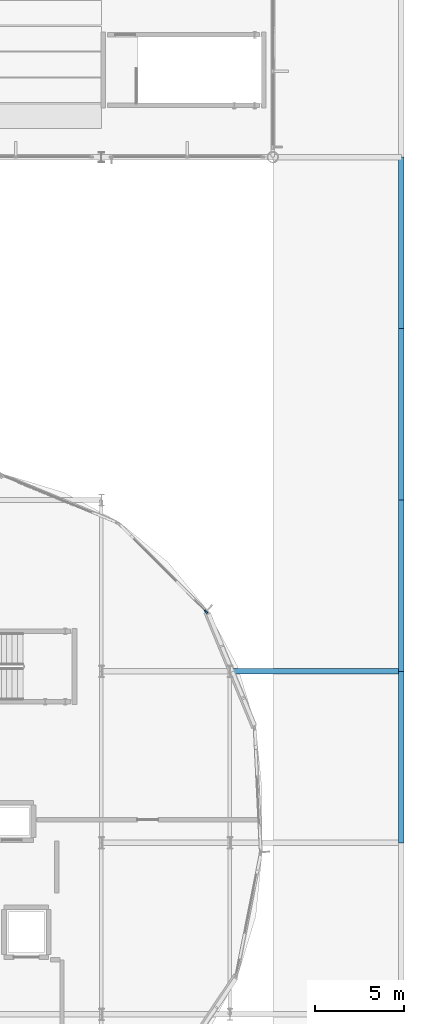
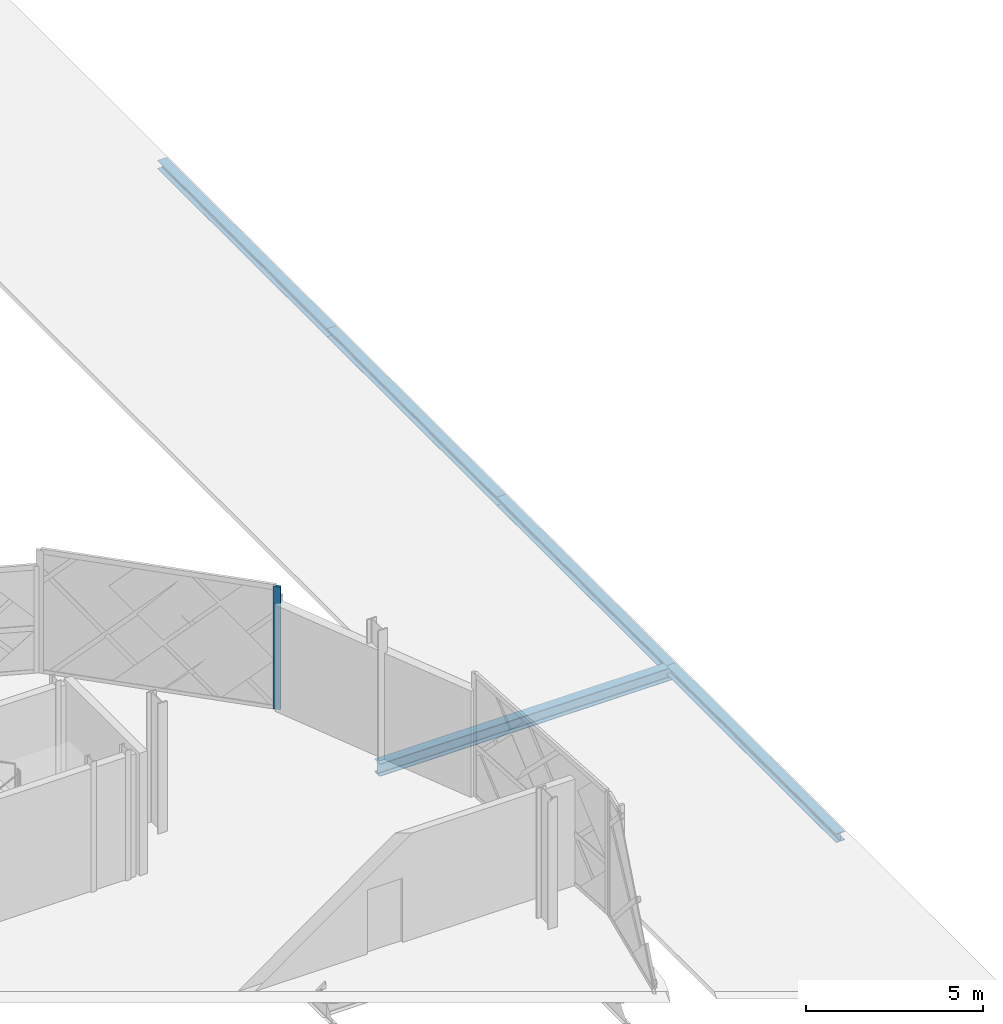
# One storey, part 54 of 101: 5 beams, 1 member, 1 element without a shape of its own.
"""IFC4 building model written with IfcOpenShell, lengths in metres."""

from ifc_helpers import new_model, si_unit, direction, frame, origin, origin_2d, place, context, subcontext, project, spatial, rectangle, i_section, extrude, material, layer, layer_set, material_profile, profile_set, type_object, element, aggregate, save


model = new_model("IFC4")

# Units and contexts
model_context = context("Model", 3, precision=1e-05, world=origin(), true_north=direction((0.0, 1.0)))
body_context = subcontext(model_context, "Body", "Model", "MODEL_VIEW")
ifc_project = project(units=[si_unit("LENGTHUNIT", "METRE"), si_unit("AREAUNIT", "SQUARE_METRE"), si_unit("VOLUMEUNIT", "CUBIC_METRE"), si_unit("PLANEANGLEUNIT", "RADIAN"), si_unit("MASSUNIT", "GRAM", prefix="KILO")], contexts=[model_context])

# Site, building, storey
site_placement = place(None, origin())
site = spatial("IfcSite", under=ifc_project, at=site_placement, CompositionType="ELEMENT")
building_placement = place(site_placement, origin())
building = spatial("IfcBuilding", under=site, at=building_placement, Name="Zevrakil Square Congress Hotel", CompositionType="ELEMENT")
storey_placement = place(building_placement, frame((0.0, 0.0, 5.39990234375)))
storey = spatial("IfcBuildingStorey", under=building, at=storey_placement, Name="L02", CompositionType="ELEMENT", Elevation=5.39990234375)

# Beam
ifc_material_1 = material(Name="Steel S355", Category="steel")
ifc_material_profile_1 = material_profile(ifc_material_1, i_section(OverallWidth=0.300048828125, OverallDepth=0.43994140625, WebThickness=0.011474609375, FlangeThickness=0.02099609375, FilletRadius=0.027099609375, at=origin_2d()), Name="HEA 450")
ifc_profile_set_1 = profile_set([ifc_material_profile_1], Name="Steel S355")
beam_type_1 = type_object("IfcBeamType", Name="BM-HEA450", PredefinedType="BEAM", material=ifc_profile_set_1)
beam_1_placement = place(storey_placement, frame((163.199951171875, 36.0, -0.47998046875), z_axis=(1.0, 0.0, 0.0), x_axis=(0.0, 1.0, 0.0)))
element("IfcBeam", 1, at=beam_1_placement, inside=storey, type_object=beam_type_1, Name="L02 primary girder BX-0730", PredefinedType="BEAM", context=body_context, shape_type="SweptSolid", body=[
    extrude(i_section(OverallWidth=0.300048828125, OverallDepth=0.43994140625, WebThickness=0.011474609375, FlangeThickness=0.02099609375, FilletRadius=0.027099609375, at=origin_2d()), origin(), (0.0, 0.0, 1.0), 9.60009765625),
])

# Curtain wall, member
ifc_material_2 = material(Name="Aluminium Anodised Bronze", Category="aluminium")
ifc_layer = layer(ifc_material_2, 0.179931640625)
ifc_layer_set = layer_set([ifc_layer], Name="Aluminium Anodised Bronze")
curtain_wall_type = type_object("IfcCurtainWallType", Name="CW-L02-720", PredefinedType="USERDEFINED", material=ifc_layer_set)
curtain_wall_placement = place(storey_placement, origin())
curtain_wall = element("IfcCurtainWall", 2, at=curtain_wall_placement, inside=storey, type_object=curtain_wall_type, Name="L02 diamond curtain wall CW-L02-0157", ObjectType="GLAZED CURTAIN WALL", PredefinedType="USERDEFINED")
ifc_material_3 = material(Name="Aluminium Anodised Bronze", Category="aluminium")
ifc_material_profile_2 = material_profile(ifc_material_3, rectangle(XDim=0.0849609375, YDim=0.219970703125, at=origin_2d()), Name="ALU 85x220")
ifc_profile_set_2 = profile_set([ifc_material_profile_2], Name="Aluminium Anodised Bronze")
member_type = type_object("IfcMemberType", Name="CWM-ALU85x220", PredefinedType="MULLION", material=ifc_profile_set_2)
member_placement = place(storey_placement, frame((161.86279296875, 39.3515625, 0.0), z_axis=(0.0, 0.0, 1.0), x_axis=(-0.707106781187, -0.707106781187, 0.0)))
member = element("IfcMember", 3, at=member_placement, type_object=member_type, Name="CW-22 mullion 1", PredefinedType="MULLION", context=body_context, shape_type="SweptSolid", body=[
    extrude(rectangle(XDim=0.0849609375, YDim=0.219970703125, at=origin_2d()), origin(), (0.0, 0.0, 1.0), 4.239990234375),
])
aggregate(curtain_wall, [member])

# Beams
ifc_material_4 = material(Name="Steel S355", Category="steel")
ifc_material_profile_3 = material_profile(ifc_material_4, i_section(OverallWidth=0.300048828125, OverallDepth=0.300048828125, WebThickness=0.010986328125, FlangeThickness=0.01904296875, FilletRadius=0.027099609375, at=origin_2d()), Name="HEB 300")
ifc_profile_set_3 = profile_set([ifc_material_profile_3], Name="Steel S355")
beam_type_2 = type_object("IfcBeamType", Name="SPD-RHS250", PredefinedType="SPANDREL", material=ifc_profile_set_3)
for number, where, z_axis, x_axis, name in (
    (4, (172.800048828125, 26.39990234375, -0.409912109375), (0.0, 1.0, 0.0), (-1.0, 0.0, 0.0), "L02 primary girder BY-0959"),
    (5, (172.800048828125, 36.0, -0.409912109375), (0.0, 1.0, 0.0), (-1.0, 0.0, 0.0), "L02 primary girder BY-0960"),
):
    element("IfcBeam", number, at=place(storey_placement, frame(where, z_axis=z_axis, x_axis=x_axis)), inside=storey, type_object=beam_type_2, Name=name, PredefinedType="SPANDREL", context=body_context, shape_type="SweptSolid", body=[
        extrude(i_section(OverallWidth=0.300048828125, OverallDepth=0.300048828125, WebThickness=0.010986328125, FlangeThickness=0.01904296875, FilletRadius=0.027099609375, at=origin_2d()), origin(), (0.0, 0.0, 1.0), 9.60009765625),
    ])
beam_2_placement = place(storey_placement, frame((172.800048828125, 45.60009765625, -0.409912109375), z_axis=(0.0, 1.0, 0.0), x_axis=(-1.0, 0.0, 0.0)))
element("IfcBeam", 6, at=beam_2_placement, inside=storey, type_object=beam_type_2, Name="L02 primary girder BY-0961", PredefinedType="SPANDREL", context=body_context, shape_type="SweptSolid", body=[
    extrude(i_section(OverallWidth=0.300048828125, OverallDepth=0.300048828125, WebThickness=0.010986328125, FlangeThickness=0.01904296875, FilletRadius=0.027099609375, at=origin_2d()), origin(), (0.0, 0.0, 1.0), 9.599853515625),
])
beam_3_placement = place(storey_placement, frame((172.800048828125, 55.199951171875, -0.409912109375), z_axis=(0.0, 1.0, 0.0), x_axis=(-1.0, 0.0, 0.0)))
element("IfcBeam", 7, at=beam_3_placement, inside=storey, type_object=beam_type_2, Name="L02 primary girder BY-0962", PredefinedType="SPANDREL", context=body_context, shape_type="SweptSolid", body=[
    extrude(i_section(OverallWidth=0.300048828125, OverallDepth=0.300048828125, WebThickness=0.010986328125, FlangeThickness=0.01904296875, FilletRadius=0.027099609375, at=origin_2d()), origin(), (0.0, 0.0, 1.0), 9.60009765625),
])

save(model, "model.ifc")
